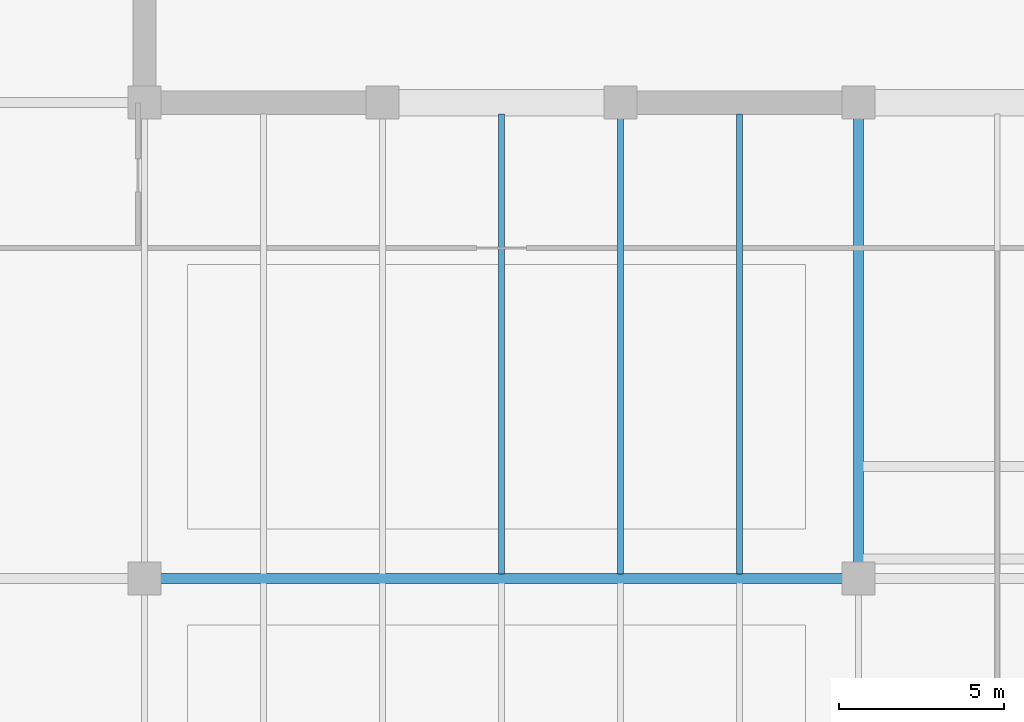
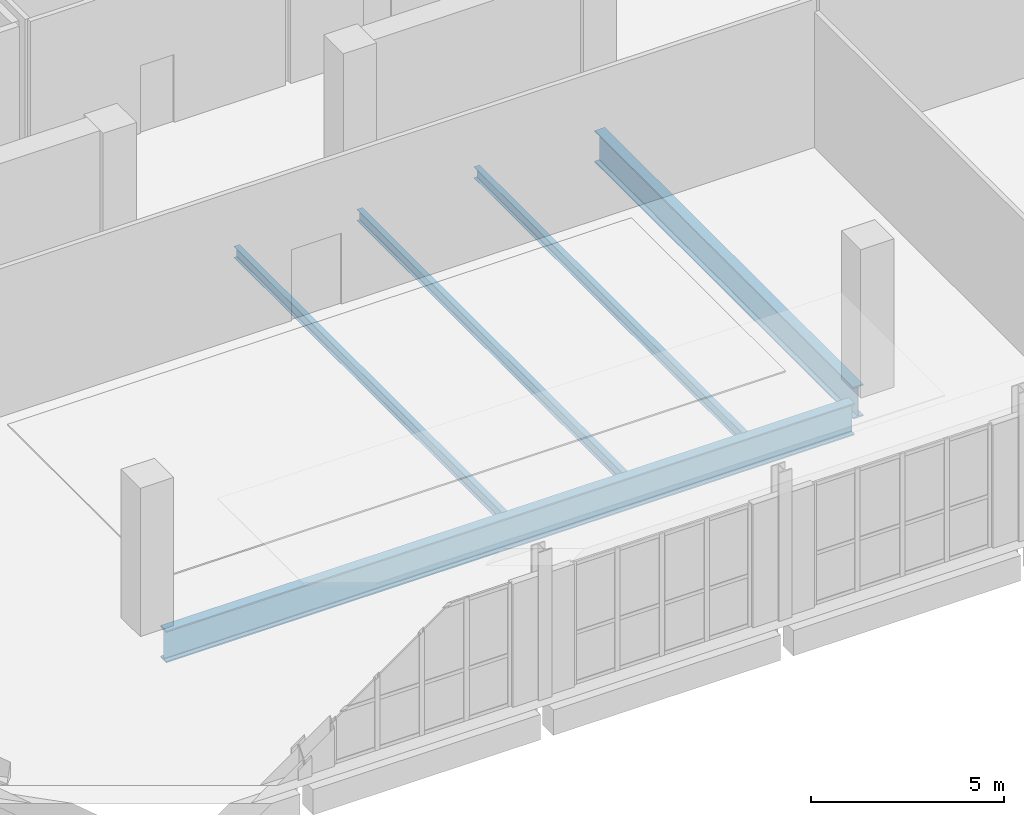
# One storey, part 10 of 36: 5 beams.
"""IFC4 building model written with IfcOpenShell, lengths in metres."""

from ifc_helpers import new_model, si_unit, direction, frame, origin, origin_2d, place, context, subcontext, project, spatial, i_section, extrude, material, material_profile, profile_set, type_object, element, save


model = new_model("IFC4")

# Units and contexts
model_context = context("Model", 3, precision=1e-05, world=origin(), true_north=direction((0.0, 1.0)))
body_context = subcontext(model_context, "Body", "Model", "MODEL_VIEW")
ifc_project = project(units=[si_unit("LENGTHUNIT", "METRE"), si_unit("AREAUNIT", "SQUARE_METRE"), si_unit("VOLUMEUNIT", "CUBIC_METRE"), si_unit("PLANEANGLEUNIT", "RADIAN"), si_unit("MASSUNIT", "GRAM", prefix="KILO")], contexts=[model_context])

# Site, building, storey
site_placement = place(None, origin())
site = spatial("IfcSite", under=ifc_project, at=site_placement, CompositionType="ELEMENT")
building_placement = place(site_placement, origin())
building = spatial("IfcBuilding", under=site, at=building_placement, Name="Kaelvorn Grand Hotel", CompositionType="ELEMENT")
storey_placement = place(building_placement, frame((0.0, 0.0, 305.699951171875)))
storey = spatial("IfcBuildingStorey", under=building, at=storey_placement, Name="L74", CompositionType="ELEMENT", Elevation=305.699951171875)

# Beams
ifc_material_1 = material(Name="Steel S460", Category="steel")
ifc_material_profile_1 = material_profile(ifc_material_1, i_section(OverallWidth=0.302001953125, OverallDepth=1.008056640625, WebThickness=0.02099609375, FlangeThickness=0.0400390625, FilletRadius=0.024169921875, at=origin_2d()), Name="UB 1016x305x349")
ifc_profile_set_1 = profile_set([ifc_material_profile_1], Name="Steel S460")
beam_type_1 = type_object("IfcBeamType", Name="BM-G-UB1016-S460", PredefinedType="BEAM", material=ifc_profile_set_1)
beam_1_placement = place(storey_placement, frame((16.68505859375, 15.0, -0.884033203125), z_axis=(1.0, 0.0, 0.0), x_axis=(0.0, 1.0, 0.0)))
element("IfcBeam", 1, at=beam_1_placement, inside=storey, type_object=beam_type_1, Name="L74 Primary Spine Steel Girder G-15 02", PredefinedType="BEAM", context=body_context, shape_type="SweptSolid", body=[
    extrude(i_section(OverallWidth=0.302001953125, OverallDepth=1.008056640625, WebThickness=0.02099609375, FlangeThickness=0.0400390625, FilletRadius=0.024169921875, at=origin_2d()), origin(), (0.0, 0.0, 1.0), 20.6298828125),
])
beam_2_placement = place(storey_placement, frame((37.800048828125, 15.485107421875, -0.884033203125), z_axis=(0.0, 1.0, 0.0), x_axis=(-1.0, 0.0, 0.0)))
element("IfcBeam", 2, at=beam_2_placement, inside=storey, type_object=beam_type_1, Name="L74 TMD Frame Girder N1 01", PredefinedType="BEAM", context=body_context, shape_type="SweptSolid", body=[
    extrude(i_section(OverallWidth=0.302001953125, OverallDepth=1.008056640625, WebThickness=0.02099609375, FlangeThickness=0.0400390625, FilletRadius=0.024169921875, at=origin_2d()), origin(), (0.0, 0.0, 1.0), 13.429931640625),
])
ifc_material_2 = material(Name="Steel S355", Category="steel")
ifc_material_profile_2 = material_profile(ifc_material_2, i_section(OverallWidth=0.169921875, OverallDepth=0.360107421875, WebThickness=0.008056640625, FlangeThickness=0.0126953125, FilletRadius=0.01806640625, at=origin_2d()), Name="IPE 360")
ifc_profile_set_2 = profile_set([ifc_material_profile_2], Name="Steel S355")
beam_type_2 = type_object("IfcBeamType", Name="BM-J-IPE360-S355", PredefinedType="JOIST", material=ifc_profile_set_2)
beam_3_placement = place(storey_placement, frame((27.0, 15.135986328125, -0.56005859375), z_axis=(0.0, 1.0, 0.0), x_axis=(-1.0, 0.0, 0.0)))
element("IfcBeam", 3, at=beam_3_placement, inside=storey, type_object=beam_type_2, Name="L74 Composite Floor Joist JM-08", PredefinedType="JOIST", context=body_context, shape_type="SweptSolid", body=[
    extrude(i_section(OverallWidth=0.169921875, OverallDepth=0.360107421875, WebThickness=0.008056640625, FlangeThickness=0.0126953125, FilletRadius=0.01806640625, at=origin_2d()), origin(), (0.0, 0.0, 1.0), 13.924072265625),
])
beam_4_placement = place(storey_placement, frame((30.60009765625, 15.135986328125, -0.56005859375), z_axis=(0.0, 1.0, 0.0), x_axis=(-1.0, 0.0, 0.0)))
element("IfcBeam", 4, at=beam_4_placement, inside=storey, type_object=beam_type_2, Name="L74 Composite Floor Joist JM-09", PredefinedType="JOIST", context=body_context, shape_type="SweptSolid", body=[
    extrude(i_section(OverallWidth=0.169921875, OverallDepth=0.360107421875, WebThickness=0.008056640625, FlangeThickness=0.0126953125, FilletRadius=0.01806640625, at=origin_2d()), origin(), (0.0, 0.0, 1.0), 13.779052734375),
])
beam_5_placement = place(storey_placement, frame((34.199951171875, 15.135986328125, -0.56005859375), z_axis=(0.0, 1.0, 0.0), x_axis=(-1.0, 0.0, 0.0)))
element("IfcBeam", 5, at=beam_5_placement, inside=storey, type_object=beam_type_2, Name="L74 Composite Floor Joist JM-10", PredefinedType="JOIST", context=body_context, shape_type="SweptSolid", body=[
    extrude(i_section(OverallWidth=0.169921875, OverallDepth=0.360107421875, WebThickness=0.008056640625, FlangeThickness=0.0126953125, FilletRadius=0.01806640625, at=origin_2d()), origin(), (0.0, 0.0, 1.0), 13.924072265625),
])

save(model, "model.ifc")
